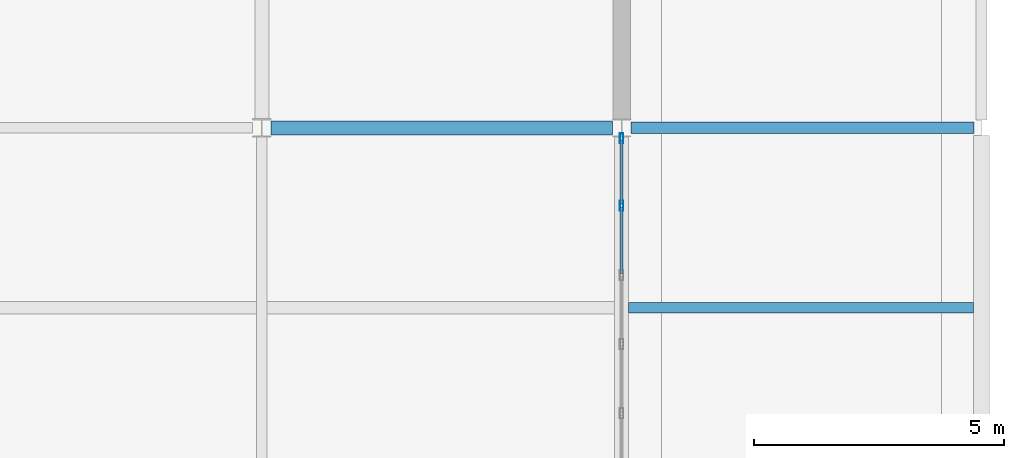
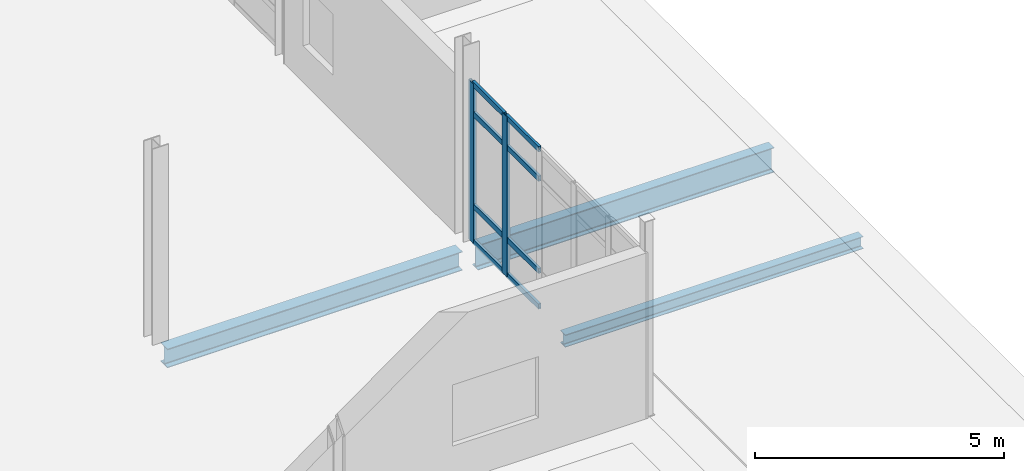
# One storey, part 103 of 186: 10 members, 3 beams, 1 element without a shape of its own.
"""IFC4 building model written with IfcOpenShell, lengths in metres."""

from ifc_helpers import new_model, si_unit, direction, frame, origin, origin_2d, place, context, subcontext, project, spatial, hollow_rectangle, i_section, extrude, material, layer, layer_set, material_profile, profile_set, type_object, element, aggregate, save


model = new_model("IFC4")

# Units and contexts
model_context = context("Model", 3, precision=1e-05, world=origin(), true_north=direction((0.0, 1.0)))
body_context = subcontext(model_context, "Body", "Model", "MODEL_VIEW")
ifc_project = project(units=[si_unit("LENGTHUNIT", "METRE"), si_unit("AREAUNIT", "SQUARE_METRE"), si_unit("VOLUMEUNIT", "CUBIC_METRE"), si_unit("PLANEANGLEUNIT", "RADIAN"), si_unit("MASSUNIT", "GRAM", prefix="KILO")], contexts=[model_context])

# Site, building, storey
site_placement = place(None, origin())
site = spatial("IfcSite", under=ifc_project, at=site_placement, CompositionType="ELEMENT")
building_placement = place(site_placement, origin())
building = spatial("IfcBuilding", under=site, at=building_placement, Name="Calvrana Isthmian Art Gallery", CompositionType="ELEMENT")
storey_placement = place(building_placement, frame((0.0, 0.0, 5.39990234375)))
storey = spatial("IfcBuildingStorey", under=building, at=storey_placement, Name="L01", CompositionType="ELEMENT", Elevation=5.39990234375)

# Beams
ifc_material_1 = material(Name="Steel ASTM A992 Gr 50", Category="steel")
ifc_material_profile_1 = material_profile(ifc_material_1, i_section(OverallWidth=0.279052734375, OverallDepth=0.4619140625, WebThickness=0.0107421875, FlangeThickness=0.017333984375, FilletRadius=0.02001953125, at=origin_2d()), Name="W18X76")
ifc_profile_set_1 = profile_set([ifc_material_profile_1], Name="Steel ASTM A992 Gr 50")
beam_type_1 = type_object("IfcBeamType", Name="BM-G-W18X76", PredefinedType="BEAM", material=ifc_profile_set_1)
beam_1_placement = place(storey_placement, frame((148.98388671875, 14.39990234375, -0.475830078125), z_axis=(1.0, 0.0, 0.0), x_axis=(0.0, 1.0, 0.0)))
element("IfcBeam", 1, at=beam_1_placement, inside=storey, type_object=beam_type_1, Name="Girder X L01 20-21/C", PredefinedType="BEAM", context=body_context, shape_type="SweptSolid", body=[
    extrude(i_section(OverallWidth=0.279052734375, OverallDepth=0.4619140625, WebThickness=0.0107421875, FlangeThickness=0.017333984375, FilletRadius=0.02001953125, at=origin_2d()), origin(), (0.0, 0.0, 1.0), 6.82958984375),
])
ifc_material_profile_2 = material_profile(ifc_material_1, i_section(OverallWidth=0.22802734375, OverallDepth=0.60693359375, WebThickness=0.01123046875, FlangeThickness=0.017333984375, FilletRadius=0.02197265625, at=origin_2d()), Name="W24X76")
ifc_profile_set_2 = profile_set([ifc_material_profile_2], Name="Steel ASTM A992 Gr 50")
beam_type_2 = type_object("IfcBeamType", Name="BM-G-W24X76", PredefinedType="BEAM", material=ifc_profile_set_2)
beam_2_placement = place(storey_placement, frame((156.1865234375, 14.39990234375, -0.54833984375), z_axis=(1.0, 0.0, 0.0), x_axis=(0.0, 1.0, 0.0)))
element("IfcBeam", 2, at=beam_2_placement, inside=storey, type_object=beam_type_2, Name="Girder X L01 21-22/C", PredefinedType="BEAM", context=body_context, shape_type="SweptSolid", body=[
    extrude(i_section(OverallWidth=0.22802734375, OverallDepth=0.60693359375, WebThickness=0.01123046875, FlangeThickness=0.017333984375, FilletRadius=0.02197265625, at=origin_2d()), origin(), (0.0, 0.0, 1.0), 6.861083984375),
])
ifc_material_profile_3 = material_profile(ifc_material_1, i_section(OverallWidth=0.202880859375, OverallDepth=0.302001953125, WebThickness=0.007568359375, FlangeThickness=0.01318359375, FilletRadius=0.01611328125, at=origin_2d()), Name="W12X40")
ifc_profile_set_3 = profile_set([ifc_material_profile_3], Name="Steel ASTM A992 Gr 50")
beam_type_3 = type_object("IfcBeamType", Name="BM-J-W12X40", PredefinedType="JOIST", material=ifc_profile_set_3)
beam_3_placement = place(storey_placement, frame((156.139404296875, 10.800048828125, -0.39599609375), z_axis=(1.0, 0.0, 0.0), x_axis=(0.0, 1.0, 0.0)))
element("IfcBeam", 3, at=beam_3_placement, inside=storey, type_object=beam_type_3, Name="Composite joist L01 bay 20-01", PredefinedType="JOIST", context=body_context, shape_type="SweptSolid", body=[
    extrude(i_section(OverallWidth=0.202880859375, OverallDepth=0.302001953125, WebThickness=0.007568359375, FlangeThickness=0.01318359375, FilletRadius=0.01611328125, at=origin_2d()), origin(), (0.0, 0.0, 1.0), 6.898193359375),
])

# Curtain wall, members
ifc_material_2 = material(Name="Anodized bronze aluminium 6063-T6", Category="aluminium")
ifc_layer = layer(ifc_material_2, 0.179931640625, Name="Anodized bronze aluminium 6063-T6")
ifc_layer_set = layer_set([ifc_layer], Name="Anodized bronze aluminium 6063-T6")
curtain_wall_type = type_object("IfcCurtainWallType", Name="CW-UNIT-069X39", PredefinedType="USERDEFINED", material=ifc_layer_set)
curtain_wall_placement = place(storey_placement, origin())
curtain_wall = element("IfcCurtainWall", 4, at=curtain_wall_placement, inside=storey, type_object=curtain_wall_type, Name="Curtain wall CW-141", ObjectType="UNITISED CURTAIN WALL", PredefinedType="USERDEFINED")
ifc_material_profile_4 = material_profile(ifc_material_2, hollow_rectangle(XDim=0.070068359375, YDim=0.199951171875, WallThickness=0.0048828125, at=origin_2d()), Name="CWM70X200")
ifc_profile_set_4 = profile_set([ifc_material_profile_4], Name="Anodized bronze aluminium 6063-T6")
member_type_1 = type_object("IfcMemberType", Name="CWM-CWM70X200", PredefinedType="MULLION", material=ifc_profile_set_4)
member_1_placement = place(storey_placement, frame((156.0, 14.18701171875, 0.0), z_axis=(0.0, 0.0, 1.0), x_axis=(1.0, 0.0, 0.0)))
member_1 = element("IfcMember", 5, at=member_1_placement, type_object=member_type_1, Name="CW-141 mullion 1", PredefinedType="MULLION", context=body_context, shape_type="SweptSolid", body=[
    extrude(hollow_rectangle(XDim=0.070068359375, YDim=0.199951171875, WallThickness=0.0048828125, at=origin_2d()), origin(), (0.0, 0.0, 1.0), 3.908203125),
])
member_2_placement = place(storey_placement, frame((156.0, 12.837890625, 0.0), z_axis=(0.0, 0.0, 1.0), x_axis=(1.0, 0.0, 0.0)))
member_2 = element("IfcMember", 6, at=member_2_placement, type_object=member_type_1, Name="CW-141 mullion 2", PredefinedType="MULLION", context=body_context, shape_type="SweptSolid", body=[
    extrude(hollow_rectangle(XDim=0.070068359375, YDim=0.199951171875, WallThickness=0.0048828125, at=origin_2d()), origin(), (0.0, 0.0, 1.0), 3.908203125),
])
ifc_material_profile_5 = material_profile(ifc_material_2, hollow_rectangle(XDim=0.06005859375, YDim=0.1298828125, WallThickness=0.00390625, at=origin_2d()), Name="CWT60X130")
ifc_profile_set_5 = profile_set([ifc_material_profile_5], Name="Anodized bronze aluminium 6063-T6")
member_type_2 = type_object("IfcMemberType", Name="CWT-CWT60X130", PredefinedType="USERDEFINED", material=ifc_profile_set_5)
member_3_placement = place(storey_placement, frame((156.0, 14.152099609375, 0.030029296875), z_axis=(0.0, -1.0, 0.0), x_axis=(1.0, 0.0, 0.0)))
member_3 = element("IfcMember", 7, at=member_3_placement, type_object=member_type_2, Name="CW-141 transom 1.1", ObjectType="TRANSOM", PredefinedType="USERDEFINED", context=body_context, shape_type="SweptSolid", body=[
    extrude(hollow_rectangle(XDim=0.06005859375, YDim=0.1298828125, WallThickness=0.00390625, at=origin_2d()), origin(), (0.0, 0.0, 1.0), 1.279296875),
])
member_4_placement = place(storey_placement, frame((156.0, 14.152099609375, 0.900146484375), z_axis=(0.0, -1.0, 0.0), x_axis=(1.0, 0.0, 0.0)))
member_4 = element("IfcMember", 8, at=member_4_placement, type_object=member_type_2, Name="CW-141 transom 1.2", ObjectType="TRANSOM", PredefinedType="USERDEFINED", context=body_context, shape_type="SweptSolid", body=[
    extrude(hollow_rectangle(XDim=0.06005859375, YDim=0.1298828125, WallThickness=0.00390625, at=origin_2d()), origin(), (0.0, 0.0, 1.0), 1.279296875),
])
member_5_placement = place(storey_placement, frame((156.0, 14.152099609375, 3.158203125), z_axis=(0.0, -1.0, 0.0), x_axis=(1.0, 0.0, 0.0)))
member_5 = element("IfcMember", 9, at=member_5_placement, type_object=member_type_2, Name="CW-141 transom 1.3", ObjectType="TRANSOM", PredefinedType="USERDEFINED", context=body_context, shape_type="SweptSolid", body=[
    extrude(hollow_rectangle(XDim=0.06005859375, YDim=0.1298828125, WallThickness=0.00390625, at=origin_2d()), origin(), (0.0, 0.0, 1.0), 1.279296875),
])
member_6_placement = place(storey_placement, frame((156.0, 14.152099609375, 3.878173828125), z_axis=(0.0, -1.0, 0.0), x_axis=(1.0, 0.0, 0.0)))
member_6 = element("IfcMember", 10, at=member_6_placement, type_object=member_type_2, Name="CW-141 transom 1.4", ObjectType="TRANSOM", PredefinedType="USERDEFINED", context=body_context, shape_type="SweptSolid", body=[
    extrude(hollow_rectangle(XDim=0.06005859375, YDim=0.1298828125, WallThickness=0.00390625, at=origin_2d()), origin(), (0.0, 0.0, 1.0), 1.279296875),
])
member_7_placement = place(storey_placement, frame((156.0, 12.802978515625, 0.030029296875), z_axis=(0.0, -1.0, 0.0), x_axis=(1.0, 0.0, 0.0)))
member_7 = element("IfcMember", 11, at=member_7_placement, type_object=member_type_2, Name="CW-141 transom 2.1", ObjectType="TRANSOM", PredefinedType="USERDEFINED", context=body_context, shape_type="SweptSolid", body=[
    extrude(hollow_rectangle(XDim=0.06005859375, YDim=0.1298828125, WallThickness=0.00390625, at=origin_2d()), origin(), (0.0, 0.0, 1.0), 1.314208984375),
])
member_8_placement = place(storey_placement, frame((156.0, 12.802978515625, 0.900146484375), z_axis=(0.0, -1.0, 0.0), x_axis=(1.0, 0.0, 0.0)))
member_8 = element("IfcMember", 12, at=member_8_placement, type_object=member_type_2, Name="CW-141 transom 2.2", ObjectType="TRANSOM", PredefinedType="USERDEFINED", context=body_context, shape_type="SweptSolid", body=[
    extrude(hollow_rectangle(XDim=0.06005859375, YDim=0.1298828125, WallThickness=0.00390625, at=origin_2d()), origin(), (0.0, 0.0, 1.0), 1.314208984375),
])
member_9_placement = place(storey_placement, frame((156.0, 12.802978515625, 3.158203125), z_axis=(0.0, -1.0, 0.0), x_axis=(1.0, 0.0, 0.0)))
member_9 = element("IfcMember", 13, at=member_9_placement, type_object=member_type_2, Name="CW-141 transom 2.3", ObjectType="TRANSOM", PredefinedType="USERDEFINED", context=body_context, shape_type="SweptSolid", body=[
    extrude(hollow_rectangle(XDim=0.06005859375, YDim=0.1298828125, WallThickness=0.00390625, at=origin_2d()), origin(), (0.0, 0.0, 1.0), 1.314208984375),
])
member_10_placement = place(storey_placement, frame((156.0, 12.802978515625, 3.878173828125), z_axis=(0.0, -1.0, 0.0), x_axis=(1.0, 0.0, 0.0)))
member_10 = element("IfcMember", 14, at=member_10_placement, type_object=member_type_2, Name="CW-141 transom 2.4", ObjectType="TRANSOM", PredefinedType="USERDEFINED", context=body_context, shape_type="SweptSolid", body=[
    extrude(hollow_rectangle(XDim=0.06005859375, YDim=0.1298828125, WallThickness=0.00390625, at=origin_2d()), origin(), (0.0, 0.0, 1.0), 1.314208984375),
])
aggregate(curtain_wall, [member_1, member_2, member_3, member_4, member_5, member_6, member_7, member_8, member_9, member_10])

save(model, "model.ifc")
